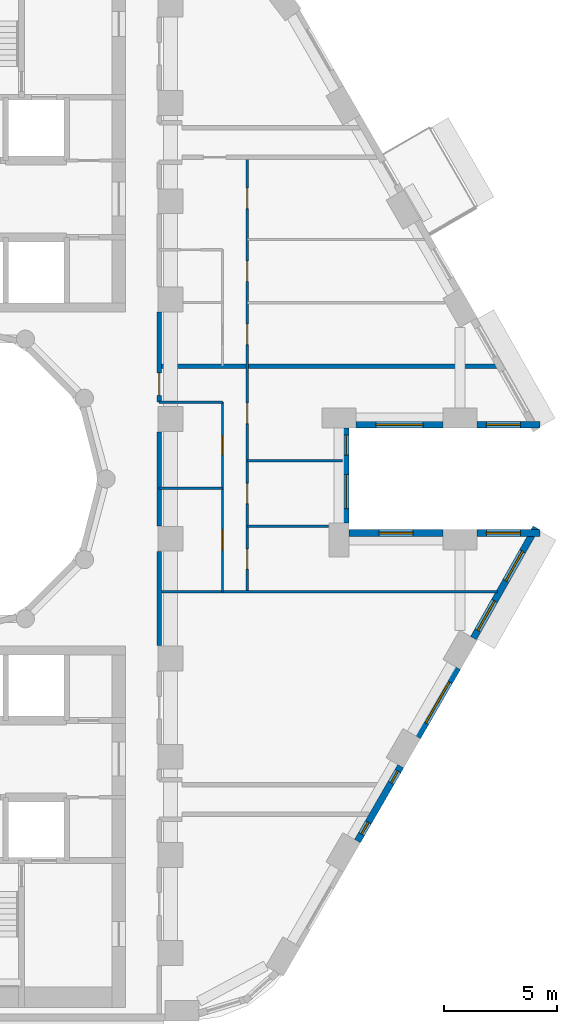
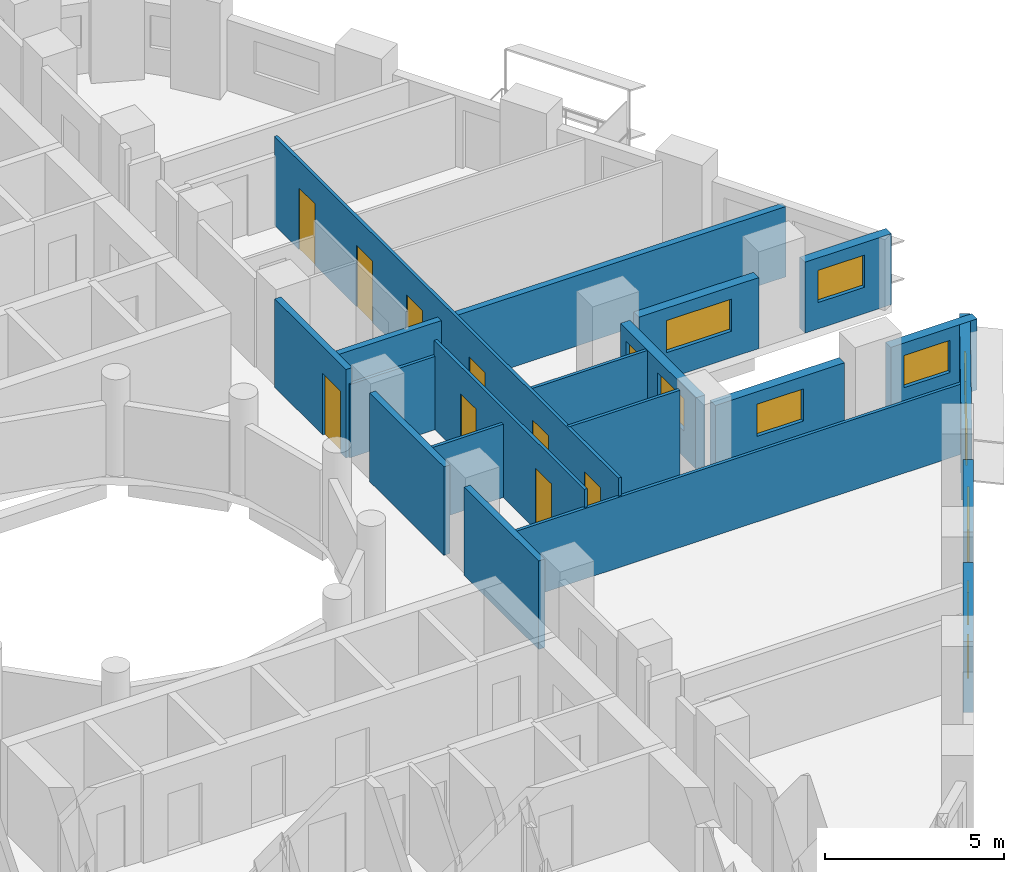
# One storey, part 6 of 13: 19 walls, 11 windows, 9 doors, 20 openings.
"""IFC4 building model written with IfcOpenShell, lengths in metres."""

from ifc_helpers import new_model, si_unit, direction, frame, frame_2d, origin, place, context, subcontext, project, spatial, rectangle, extrude, material, layer, layer_set, type_object, element, fill, save


model = new_model("IFC4")

# Units and contexts
model_context = context("Model", 3, precision=1e-05, world=origin(), true_north=direction((0.0, 1.0)))
body_context = subcontext(model_context, "Body", "Model", "MODEL_VIEW")
ifc_project = project(units=[si_unit("LENGTHUNIT", "METRE"), si_unit("AREAUNIT", "SQUARE_METRE"), si_unit("VOLUMEUNIT", "CUBIC_METRE"), si_unit("PLANEANGLEUNIT", "RADIAN"), si_unit("MASSUNIT", "GRAM", prefix="KILO")], contexts=[model_context])

# Site, building, storey
site_placement = place(None, origin())
site = spatial("IfcSite", under=ifc_project, at=site_placement, CompositionType="ELEMENT")
building_placement = place(site_placement, origin())
building = spatial("IfcBuilding", under=site, at=building_placement, Name="Nakaniwa Court", CompositionType="ELEMENT")
storey_placement = place(building_placement, frame((0.0, 0.0, 64.5)))
storey = spatial("IfcBuildingStorey", under=building, at=storey_placement, Name="L17", CompositionType="ELEMENT", Elevation=64.5)

# Walls
ifc_material_1 = material(Name="Acoustic double stud partition")
ifc_layer_1 = layer(ifc_material_1, 0.199951171875)
ifc_layer_set_1 = layer_set([ifc_layer_1], Name="Acoustic double stud partition")
wall_type_1 = type_object("IfcWallType", Name="Acoustic double stud partition 200", PredefinedType="PARTITIONING", material=ifc_layer_set_1)
for number, where, z_axis, x_axis, name in (
    (1, (89.5, 72.616943359375, 0.0), (0.0, 0.0, 1.0), (0.0, 1.0, 0.0), "Partition PW-076"),
    (2, (89.5, 77.9169921875, 0.0), (0.0, 0.0, 1.0), (0.0, 1.0, 0.0), "Partition PW-077"),
):
    element("IfcWall", number, at=place(storey_placement, frame(where, z_axis=z_axis, x_axis=x_axis)), inside=storey, type_object=wall_type_1, Name=name, PredefinedType="PARTITIONING", context=body_context, shape_type="SweptSolid", body=[
        extrude(rectangle(XDim=4.166015625, YDim=0.199951171875, at=frame_2d((2.0830078125, 0.0))), origin(), (0.0, 0.0, 1.0), 3.02490234375),
    ])

# Wall, opening, door
wall_1_placement = place(storey_placement, frame((89.5, 87.383056640625, 0.0), z_axis=(0.0, 0.0, 1.0), x_axis=(0.0, -1.0, 0.0)))
wall_1 = element("IfcWall", 3, at=wall_1_placement, inside=storey, type_object=wall_type_1, Name="Partition PW-078", PredefinedType="PARTITIONING", context=body_context, shape_type="SweptSolid", body=[
    extrude(rectangle(XDim=3.986083984375, YDim=0.199951171875, at=frame_2d((1.9931640625, 0.0))), origin(), (0.0, 0.0, 1.0), 3.02490234375),
])
opening_1_placement = place(wall_1_placement, frame((2.68310546875, 0.0, 0.0)))
opening_1 = element("IfcOpeningElement", 4, at=opening_1_placement, cuts=wall_1, Name="Opening D-01-01", PredefinedType="OPENING", context=body_context, shape_type="SweptSolid", body=[
    extrude(rectangle(XDim=1.0, YDim=2.10009765625, at=frame_2d((0.5, 1.050048828125))), frame((0.0, 0.10986328125, 0.0), z_axis=(0.0, -1.0, 0.0), x_axis=(1.0, 0.0, 0.0)), (0.0, 0.0, 1.0), 0.219970703125),
])
ifc_material_2 = material(Name="Solid core timber door set, black veneer", Category="wood")
door_type_1 = type_object("IfcDoorType", Name="Flat entrance door 1000", OperationType="NOTDEFINED", PredefinedType="DOOR", material=ifc_material_2)
door_1_placement = place(opening_1_placement, origin())
door_1 = element("IfcDoor", 5, at=door_1_placement, inside=storey, type_object=door_type_1, Name="Door D-01-01 L17-031", OperationType="SINGLE_SWING_RIGHT", OverallHeight=2.10009765625, OverallWidth=1.0, PredefinedType="DOOR", context=body_context, shape_type="SweptSolid", body=[
    extrude(rectangle(XDim=1.0, YDim=2.10009765625, at=frame_2d((0.5, 1.050048828125))), frame((0.0, 0.02490234375, 0.0), z_axis=(0.0, -1.0, 0.0), x_axis=(1.0, 0.0, 0.0)), (0.0, 0.0, 1.0), 0.050048828125),
])
fill(opening_1, door_1)

# Wall
wall_2_placement = place(storey_placement, frame((89.5, 85.0, 0.0), z_axis=(0.0, 0.0, 1.0), x_axis=(1.0, 0.0, 0.0)))
element("IfcWall", 6, at=wall_2_placement, inside=storey, type_object=wall_type_1, Name="Partition PW-119", PredefinedType="PARTITIONING", context=body_context, shape_type="SweptSolid", body=[
    extrude(rectangle(XDim=14.9794921875, YDim=0.199951171875, at=frame_2d((7.48974609375, 0.0))), origin(), (0.0, 0.0, 1.0), 2.405029296875),
])

# Wall, opening, window
ifc_material_3 = material(Name="Charcoal ceramic cladding")
ifc_layer_2 = layer(ifc_material_3, 0.02, Name="Ceramic cladding")
ifc_material_4 = material(Name="Ventilated air cavity")
ifc_layer_3 = layer(ifc_material_4, 0.04, ventilated=True, Name="Ventilated cavity")
ifc_material_5 = material(Name="Mineral wool insulation")
ifc_layer_4 = layer(ifc_material_5, 0.1, Name="Insulation")
ifc_material_6 = material(Name="Cement bonded sheathing board")
ifc_layer_5 = layer(ifc_material_6, 0.012, Name="Sheathing")
ifc_material_7 = material(Name="Cold-formed galvanised stud frame with mineral wool infill")
ifc_layer_6 = layer(ifc_material_7, 0.1, Name="Stud frame")
ifc_material_8 = material(Name="Fire-rated gypsum plasterboard lining")
ifc_layer_7 = layer(ifc_material_8, 0.028, Name="Lining")
ifc_layer_set_2 = layer_set([ifc_layer_2, ifc_layer_3, ifc_layer_4, ifc_layer_5, ifc_layer_6, ifc_layer_7], Name="Charcoal ceramic faced external wall system")
wall_type_2 = type_object("IfcWallType", Name="Black ceramic faced external wall 300", PredefinedType="SOLIDWALL", material=ifc_layer_set_2)
wall_3_placement = place(storey_placement, frame((98.204345703125, 82.39990234375, 0.0), z_axis=(0.0, 0.0, 1.0), x_axis=(1.0, 0.0, 0.0)))
wall_3 = element("IfcWall", 7, at=wall_3_placement, inside=storey, type_object=wall_type_2, Name="L17 external wall 00", PredefinedType="SOLIDWALL", context=body_context, shape_type="SweptSolid", body=[
    extrude(rectangle(XDim=3.87255859375, YDim=0.300048828125, at=frame_2d((1.936279296875, 0.0))), origin(), (0.0, 0.0, 1.0), 2.425048828125),
])
opening_2_placement = place(wall_3_placement, frame((0.88623046875, 0.0, 0.89990234375)))
opening_2 = element("IfcOpeningElement", 8, at=opening_2_placement, cuts=wall_3, Name="Opening W7.01", PredefinedType="OPENING", context=body_context, shape_type="SweptSolid", body=[
    extrude(rectangle(XDim=2.10009765625, YDim=1.10009765625, at=frame_2d((1.050048828125, 0.550048828125))), frame((0.0, 0.159912109375, 0.0), z_axis=(0.0, -1.0, 0.0), x_axis=(1.0, 0.0, 0.0)), (0.0, 0.0, 1.0), 0.320068359375),
])
ifc_material_9 = material(Name="Black anodised aluminium frame with dark low-E laminated double glazing", Category="aluminium")
window_type_1 = type_object("IfcWindowType", Name="Dark glass window 2100x1100 sill 900", PartitioningType="SINGLE_PANEL", PredefinedType="WINDOW", material=ifc_material_9)
window_1_placement = place(opening_2_placement, origin())
window_1 = element("IfcWindow", 9, at=window_1_placement, inside=storey, type_object=window_type_1, Name="L17 living window 00-0", OverallHeight=1.10009765625, OverallWidth=2.10009765625, PartitioningType="SINGLE_PANEL", PredefinedType="WINDOW", context=body_context, shape_type="SweptSolid", body=[
    extrude(rectangle(XDim=2.10009765625, YDim=1.10009765625, at=frame_2d((1.050048828125, 0.550048828125))), frame((0.0, 0.030029296875, 0.0), z_axis=(0.0, -1.0, 0.0), x_axis=(1.0, 0.0, 0.0)), (0.0, 0.0, 1.0), 0.06005859375),
])
fill(opening_2, window_1)

wall_4_placement = place(storey_placement, frame((103.56884765625, 82.39990234375, 0.0), z_axis=(0.0, 0.0, 1.0), x_axis=(1.0, 0.0, 0.0)))
wall_4 = element("IfcWall", 10, at=wall_4_placement, inside=storey, type_object=wall_type_2, Name="L17 external wall 01", PredefinedType="SOLIDWALL", context=body_context, shape_type="SweptSolid", body=[
    extrude(rectangle(XDim=2.787841796875, YDim=0.300048828125, at=frame_2d((1.39404296875, 0.0))), origin(), (0.0, 0.0, 1.0), 2.425048828125),
])
opening_3_placement = place(wall_4_placement, frame((0.4189453125, 0.0, 0.89990234375)))
opening_3 = element("IfcOpeningElement", 11, at=opening_3_placement, cuts=wall_4, Name="Opening W5.02", PredefinedType="OPENING", context=body_context, shape_type="SweptSolid", body=[
    extrude(rectangle(XDim=1.5, YDim=1.10009765625, at=frame_2d((0.75, 0.550048828125))), frame((0.0, 0.159912109375, 0.0), z_axis=(0.0, -1.0, 0.0), x_axis=(1.0, 0.0, 0.0)), (0.0, 0.0, 1.0), 0.320068359375),
])
window_type_2 = type_object("IfcWindowType", Name="Dark glass window 1500x1100 sill 900", PartitioningType="SINGLE_PANEL", PredefinedType="WINDOW", material=ifc_material_9)
window_2_placement = place(opening_3_placement, origin())
window_2 = element("IfcWindow", 12, at=window_2_placement, inside=storey, type_object=window_type_2, Name="L17 living window 01-0", OverallHeight=1.10009765625, OverallWidth=1.5, PartitioningType="SINGLE_PANEL", PredefinedType="WINDOW", context=body_context, shape_type="SweptSolid", body=[
    extrude(rectangle(XDim=1.5, YDim=1.10009765625, at=frame_2d((0.75, 0.550048828125))), frame((0.0, 0.030029296875, 0.0), z_axis=(0.0, -1.0, 0.0), x_axis=(1.0, 0.0, 0.0)), (0.0, 0.0, 1.0), 0.06005859375),
])
fill(opening_3, window_2)

# Wall, openings, windows
wall_5_placement = place(storey_placement, frame((98.2783203125, 63.958984375, 0.0), z_axis=(0.0, 0.0, 1.0), x_axis=(0.500001735503, 0.866024401789, 0.0)))
wall_5 = element("IfcWall", 13, at=wall_5_placement, inside=storey, type_object=wall_type_2, Name="L17 external wall 30", PredefinedType="SOLIDWALL", context=body_context, shape_type="SweptSolid", body=[
    extrude(rectangle(XDim=3.833984375, YDim=0.300048828125, at=frame_2d((1.9169921875, 0.0))), origin(), (0.0, 0.0, 1.0), 2.425048828125),
])
opening_4_placement = place(wall_5_placement, frame((0.363525390625, 0.0, 0.89990234375)))
opening_4 = element("IfcOpeningElement", 14, at=opening_4_placement, cuts=wall_5, Name="Opening W8.32", PredefinedType="OPENING", context=body_context, shape_type="SweptSolid", body=[
    extrude(rectangle(XDim=0.60009765625, YDim=1.10009765625, at=frame_2d((0.300048828125, 0.550048828125))), frame((0.0, 0.159912109375, 0.0), z_axis=(0.0, -1.0, 0.0), x_axis=(1.0, 0.0, 0.0)), (0.0, 0.0, 1.0), 0.320068359375),
])
opening_5_placement = place(wall_5_placement, frame((2.981201171875, 0.0, 0.89990234375)))
opening_5 = element("IfcOpeningElement", 15, at=opening_5_placement, cuts=wall_5, Name="Opening W8.33", PredefinedType="OPENING", context=body_context, shape_type="SweptSolid", body=[
    extrude(rectangle(XDim=0.60009765625, YDim=1.10009765625, at=frame_2d((0.300048828125, 0.550048828125))), frame((0.0, 0.159912109375, 0.0), z_axis=(0.0, -1.0, 0.0), x_axis=(1.0, 0.0, 0.0)), (0.0, 0.0, 1.0), 0.320068359375),
])
window_type_3 = type_object("IfcWindowType", Name="Dark glass window 600x1100 sill 900", PartitioningType="SINGLE_PANEL", PredefinedType="WINDOW", material=ifc_material_9)
window_3_placement = place(opening_4_placement, origin())
window_3 = element("IfcWindow", 16, at=window_3_placement, inside=storey, type_object=window_type_3, Name="L17 habitable room window 30-0", OverallHeight=1.10009765625, OverallWidth=0.60009765625, PartitioningType="SINGLE_PANEL", PredefinedType="WINDOW", context=body_context, shape_type="SweptSolid", body=[
    extrude(rectangle(XDim=0.60009765625, YDim=1.10009765625, at=frame_2d((0.300048828125, 0.550048828125))), frame((0.0, 0.030029296875, 0.0), z_axis=(0.0, -1.0, 0.0), x_axis=(1.0, 0.0, 0.0)), (0.0, 0.0, 1.0), 0.06005859375),
])
fill(opening_4, window_3)
window_4_placement = place(opening_5_placement, origin())
window_4 = element("IfcWindow", 17, at=window_4_placement, inside=storey, type_object=window_type_3, Name="L17 habitable room window 30-2", OverallHeight=1.10009765625, OverallWidth=0.60009765625, PartitioningType="SINGLE_PANEL", PredefinedType="WINDOW", context=body_context, shape_type="SweptSolid", body=[
    extrude(rectangle(XDim=0.60009765625, YDim=1.10009765625, at=frame_2d((0.300048828125, 0.550048828125))), frame((0.0, 0.030029296875, 0.0), z_axis=(0.0, -1.0, 0.0), x_axis=(1.0, 0.0, 0.0)), (0.0, 0.0, 1.0), 0.06005859375),
])
fill(opening_5, window_4)

# Wall, opening, window
wall_6_placement = place(storey_placement, frame((100.94140625, 68.5712890625, 0.0), z_axis=(0.0, 0.0, 1.0), x_axis=(0.499977402622, 0.866038449993, 0.0)))
wall_6 = element("IfcWall", 18, at=wall_6_placement, inside=storey, type_object=wall_type_2, Name="L17 external wall 31", PredefinedType="SOLIDWALL", context=body_context, shape_type="SweptSolid", body=[
    extrude(rectangle(XDim=3.536865234375, YDim=0.300048828125, at=frame_2d((1.7685546875, 0.0))), origin(), (0.0, 0.0, 1.0), 2.425048828125),
])
opening_6_placement = place(wall_6_placement, frame((0.718505859375, 0.0, 0.89990234375)))
opening_6 = element("IfcOpeningElement", 19, at=opening_6_placement, cuts=wall_6, Name="Opening W7.34", PredefinedType="OPENING", context=body_context, shape_type="SweptSolid", body=[
    extrude(rectangle(XDim=2.10009765625, YDim=1.10009765625, at=frame_2d((1.050048828125, 0.550048828125))), frame((0.0, 0.159912109375, 0.0), z_axis=(0.0, -1.0, 0.0), x_axis=(1.0, 0.0, 0.0)), (0.0, 0.0, 1.0), 0.320068359375),
])
window_5_placement = place(opening_6_placement, origin())
window_5 = element("IfcWindow", 20, at=window_5_placement, inside=storey, type_object=window_type_1, Name="L17 habitable room window 31-0", OverallHeight=1.10009765625, OverallWidth=2.10009765625, PartitioningType="SINGLE_PANEL", PredefinedType="WINDOW", context=body_context, shape_type="SweptSolid", body=[
    extrude(rectangle(XDim=2.10009765625, YDim=1.10009765625, at=frame_2d((1.050048828125, 0.550048828125))), frame((0.0, 0.030029296875, 0.0), z_axis=(0.0, -1.0, 0.0), x_axis=(1.0, 0.0, 0.0)), (0.0, 0.0, 1.0), 0.06005859375),
])
fill(opening_6, window_5)

# Wall, openings, windows
wall_7_placement = place(storey_placement, frame((103.415771484375, 72.949462890625, 0.0), z_axis=(0.0, 0.0, 1.0), x_axis=(0.492363204642, 0.870389840655, 0.0)))
wall_7 = element("IfcWall", 21, at=wall_7_placement, inside=storey, type_object=wall_type_2, Name="L17 external wall 32", PredefinedType="SOLIDWALL", context=body_context, shape_type="SweptSolid", body=[
    extrude(rectangle(XDim=5.62646484375, YDim=0.300048828125, at=frame_2d((2.813232421875, 0.0))), origin(), (0.0, 0.0, 1.0), 2.425048828125),
])
opening_7_placement = place(wall_7_placement, frame((0.392578125, 0.0, 0.89990234375)))
opening_7 = element("IfcOpeningElement", 22, at=opening_7_placement, cuts=wall_7, Name="Opening W5.35", PredefinedType="OPENING", context=body_context, shape_type="SweptSolid", body=[
    extrude(rectangle(XDim=1.5, YDim=1.10009765625, at=frame_2d((0.75, 0.550048828125))), frame((0.0, 0.159912109375, 0.0), z_axis=(0.0, -1.0, 0.0), x_axis=(1.0, 0.0, 0.0)), (0.0, 0.0, 1.0), 0.320068359375),
])
opening_8_placement = place(wall_7_placement, frame((2.917236328125, 0.0, 0.89990234375)))
opening_8 = element("IfcOpeningElement", 23, at=opening_8_placement, cuts=wall_7, Name="Opening W5.36", PredefinedType="OPENING", context=body_context, shape_type="SweptSolid", body=[
    extrude(rectangle(XDim=1.5, YDim=1.10009765625, at=frame_2d((0.75, 0.550048828125))), frame((0.0, 0.159912109375, 0.0), z_axis=(0.0, -1.0, 0.0), x_axis=(1.0, 0.0, 0.0)), (0.0, 0.0, 1.0), 0.320068359375),
])
window_6_placement = place(opening_7_placement, origin())
window_6 = element("IfcWindow", 24, at=window_6_placement, inside=storey, type_object=window_type_2, Name="L17 habitable room window 32-0", OverallHeight=1.10009765625, OverallWidth=1.5, PartitioningType="SINGLE_PANEL", PredefinedType="WINDOW", context=body_context, shape_type="SweptSolid", body=[
    extrude(rectangle(XDim=1.5, YDim=1.10009765625, at=frame_2d((0.75, 0.550048828125))), frame((0.0, 0.030029296875, 0.0), z_axis=(0.0, -1.0, 0.0), x_axis=(1.0, 0.0, 0.0)), (0.0, 0.0, 1.0), 0.06005859375),
])
fill(opening_7, window_6)
window_7_placement = place(opening_8_placement, origin())
window_7 = element("IfcWindow", 25, at=window_7_placement, inside=storey, type_object=window_type_2, Name="L17 bedroom window 32-1", OverallHeight=1.10009765625, OverallWidth=1.5, PartitioningType="SINGLE_PANEL", PredefinedType="WINDOW", context=body_context, shape_type="SweptSolid", body=[
    extrude(rectangle(XDim=1.5, YDim=1.10009765625, at=frame_2d((0.75, 0.550048828125))), frame((0.0, 0.030029296875, 0.0), z_axis=(0.0, -1.0, 0.0), x_axis=(1.0, 0.0, 0.0)), (0.0, 0.0, 1.0), 0.06005859375),
])
fill(opening_8, window_7)

# Wall, opening, window
wall_8_placement = place(storey_placement, frame((106.356689453125, 77.60009765625, 0.0), z_axis=(0.0, 0.0, 1.0), x_axis=(-1.0, 0.0, 0.0)))
wall_8 = element("IfcWall", 26, at=wall_8_placement, inside=storey, type_object=wall_type_2, Name="L17 external wall 33", PredefinedType="SOLIDWALL", context=body_context, shape_type="SweptSolid", body=[
    extrude(rectangle(XDim=2.787841796875, YDim=0.300048828125, at=frame_2d((1.39404296875, 0.0))), origin(), (0.0, 0.0, 1.0), 2.425048828125),
])
opening_9_placement = place(wall_8_placement, frame((0.868896484375, 0.0, 0.89990234375)))
opening_9 = element("IfcOpeningElement", 27, at=opening_9_placement, cuts=wall_8, Name="Opening W5.37", PredefinedType="OPENING", context=body_context, shape_type="SweptSolid", body=[
    extrude(rectangle(XDim=1.5, YDim=1.10009765625, at=frame_2d((0.75, 0.550048828125))), frame((0.0, 0.159912109375, 0.0), z_axis=(0.0, -1.0, 0.0), x_axis=(1.0, 0.0, 0.0)), (0.0, 0.0, 1.0), 0.320068359375),
])
window_8_placement = place(opening_9_placement, origin())
window_8 = element("IfcWindow", 28, at=window_8_placement, inside=storey, type_object=window_type_2, Name="L17 bedroom window 33-0", OverallHeight=1.10009765625, OverallWidth=1.5, PartitioningType="SINGLE_PANEL", PredefinedType="WINDOW", context=body_context, shape_type="SweptSolid", body=[
    extrude(rectangle(XDim=1.5, YDim=1.10009765625, at=frame_2d((0.75, 0.550048828125))), frame((0.0, 0.030029296875, 0.0), z_axis=(0.0, -1.0, 0.0), x_axis=(1.0, 0.0, 0.0)), (0.0, 0.0, 1.0), 0.06005859375),
])
fill(opening_9, window_8)

wall_9_placement = place(storey_placement, frame((102.076904296875, 77.60009765625, 0.0), z_axis=(0.0, 0.0, 1.0), x_axis=(-1.0, 0.0, 0.0)))
wall_9 = element("IfcWall", 29, at=wall_9_placement, inside=storey, type_object=wall_type_2, Name="L17 external wall 34", PredefinedType="SOLIDWALL", context=body_context, shape_type="SweptSolid", body=[
    extrude(rectangle(XDim=4.172607421875, YDim=0.300048828125, at=frame_2d((2.08642578125, 0.0))), origin(), (0.0, 0.0, 1.0), 2.425048828125),
])
opening_10_placement = place(wall_9_placement, frame((1.336181640625, 0.0, 0.89990234375)))
opening_10 = element("IfcOpeningElement", 30, at=opening_10_placement, cuts=wall_9, Name="Opening W5.38", PredefinedType="OPENING", context=body_context, shape_type="SweptSolid", body=[
    extrude(rectangle(XDim=1.5, YDim=1.10009765625, at=frame_2d((0.75, 0.550048828125))), frame((0.0, 0.159912109375, 0.0), z_axis=(0.0, -1.0, 0.0), x_axis=(1.0, 0.0, 0.0)), (0.0, 0.0, 1.0), 0.320068359375),
])
window_9_placement = place(opening_10_placement, origin())
window_9 = element("IfcWindow", 31, at=window_9_placement, inside=storey, type_object=window_type_2, Name="L17 bedroom window 34-0", OverallHeight=1.10009765625, OverallWidth=1.5, PartitioningType="SINGLE_PANEL", PredefinedType="WINDOW", context=body_context, shape_type="SweptSolid", body=[
    extrude(rectangle(XDim=1.5, YDim=1.10009765625, at=frame_2d((0.75, 0.550048828125))), frame((0.0, 0.030029296875, 0.0), z_axis=(0.0, -1.0, 0.0), x_axis=(1.0, 0.0, 0.0)), (0.0, 0.0, 1.0), 0.06005859375),
])
fill(opening_10, window_9)

# Wall, openings, windows
wall_10_placement = place(storey_placement, frame((97.75830078125, 78.0458984375, 0.0), z_axis=(0.0, 0.0, 1.0), x_axis=(0.0, 1.0, 0.0)))
wall_10 = element("IfcWall", 32, at=wall_10_placement, inside=storey, type_object=wall_type_2, Name="L17 external wall 35", PredefinedType="SOLIDWALL", context=body_context, shape_type="SweptSolid", body=[
    extrude(rectangle(XDim=4.2080078125, YDim=0.300048828125, at=frame_2d((2.10400390625, 0.0))), origin(), (0.0, 0.0, 1.0), 2.425048828125),
])
opening_11_placement = place(wall_10_placement, frame((0.64208984375, 0.0, 0.89990234375)))
opening_11 = element("IfcOpeningElement", 33, at=opening_11_placement, cuts=wall_10, Name="Opening W5.39", PredefinedType="OPENING", context=body_context, shape_type="SweptSolid", body=[
    extrude(rectangle(XDim=1.5, YDim=1.10009765625, at=frame_2d((0.75, 0.550048828125))), frame((0.0, 0.159912109375, 0.0), z_axis=(0.0, -1.0, 0.0), x_axis=(1.0, 0.0, 0.0)), (0.0, 0.0, 1.0), 0.320068359375),
])
opening_12_placement = place(wall_10_placement, frame((3.00927734375, 0.0, 0.89990234375)))
opening_12 = element("IfcOpeningElement", 34, at=opening_12_placement, cuts=wall_10, Name="Opening W9.40", PredefinedType="OPENING", context=body_context, shape_type="SweptSolid", body=[
    extrude(rectangle(XDim=0.89990234375, YDim=1.10009765625, at=frame_2d((0.449951171875, 0.550048828125))), frame((0.0, 0.159912109375, 0.0), z_axis=(0.0, -1.0, 0.0), x_axis=(1.0, 0.0, 0.0)), (0.0, 0.0, 1.0), 0.320068359375),
])
window_10_placement = place(opening_11_placement, origin())
window_10 = element("IfcWindow", 35, at=window_10_placement, inside=storey, type_object=window_type_2, Name="L17 bedroom window 35-0", OverallHeight=1.10009765625, OverallWidth=1.5, PartitioningType="SINGLE_PANEL", PredefinedType="WINDOW", context=body_context, shape_type="SweptSolid", body=[
    extrude(rectangle(XDim=1.5, YDim=1.10009765625, at=frame_2d((0.75, 0.550048828125))), frame((0.0, 0.030029296875, 0.0), z_axis=(0.0, -1.0, 0.0), x_axis=(1.0, 0.0, 0.0)), (0.0, 0.0, 1.0), 0.06005859375),
])
fill(opening_11, window_10)
window_type_4 = type_object("IfcWindowType", Name="Dark glass window 900x1100 sill 900", PartitioningType="SINGLE_PANEL", PredefinedType="WINDOW", material=ifc_material_9)
window_11_placement = place(opening_12_placement, origin())
window_11 = element("IfcWindow", 36, at=window_11_placement, inside=storey, type_object=window_type_4, Name="L17 living window 35-1", OverallHeight=1.10009765625, OverallWidth=0.89990234375, PartitioningType="SINGLE_PANEL", PredefinedType="WINDOW", context=body_context, shape_type="SweptSolid", body=[
    extrude(rectangle(XDim=0.89990234375, YDim=1.10009765625, at=frame_2d((0.449951171875, 0.550048828125))), frame((0.0, 0.030029296875, 0.0), z_axis=(0.0, -1.0, 0.0), x_axis=(1.0, 0.0, 0.0)), (0.0, 0.0, 1.0), 0.06005859375),
])
fill(opening_12, window_11)

# Walls
ifc_material_10 = material(Name="Single stud plasterboard partition")
ifc_layer_8 = layer(ifc_material_10, 0.10009765625)
ifc_layer_set_3 = layer_set([ifc_layer_8], Name="Single stud plasterboard partition")
wall_type_3 = type_object("IfcWallType", Name="Single stud plasterboard partition 100", PredefinedType="PARTITIONING", material=ifc_layer_set_3)
wall_11_placement = place(storey_placement, frame((89.5, 75.0, 0.0), z_axis=(0.0, 0.0, 1.0), x_axis=(1.0, 0.0, 0.0)))
element("IfcWall", 37, at=wall_11_placement, inside=storey, type_object=wall_type_3, Name="Partition PW-113", PredefinedType="PARTITIONING", context=body_context, shape_type="SweptSolid", body=[
    extrude(rectangle(XDim=14.9794921875, YDim=0.10009765625, at=frame_2d((7.48974609375, 0.0))), origin(), (0.0, 0.0, 1.0), 2.405029296875),
])
wall_12_placement = place(storey_placement, frame((89.5, 79.58203125, 0.0), z_axis=(0.0, 0.0, 1.0), x_axis=(1.0, 0.0, 0.0)))
element("IfcWall", 38, at=wall_12_placement, inside=storey, type_object=wall_type_3, Name="Partition PW-114", PredefinedType="PARTITIONING", context=body_context, shape_type="SweptSolid", body=[
    extrude(rectangle(XDim=2.800048828125, YDim=0.10009765625, at=frame_2d((1.39990234375, 0.0))), origin(), (0.0, 0.0, 1.0), 2.5048828125),
])

# Wall, openings, doors
wall_13_placement = place(storey_placement, frame((92.300048828125, 75.0, 0.0), z_axis=(0.0, 0.0, 1.0), x_axis=(0.0, 1.0, 0.0)))
wall_13 = element("IfcWall", 39, at=wall_13_placement, inside=storey, type_object=wall_type_3, Name="Partition PW-115", PredefinedType="PARTITIONING", context=body_context, shape_type="SweptSolid", body=[
    extrude(rectangle(XDim=8.39990234375, YDim=0.10009765625, at=frame_2d((4.199951171875, 0.0))), origin(), (0.0, 0.0, 1.0), 3.02490234375),
])
opening_13_placement = place(wall_13_placement, frame((1.841064453125, 0.0, 0.0)))
opening_13 = element("IfcOpeningElement", 40, at=opening_13_placement, cuts=wall_13, Name="Opening D-33-01", PredefinedType="OPENING", context=body_context, shape_type="SweptSolid", body=[
    extrude(rectangle(XDim=0.89990234375, YDim=2.10009765625, at=frame_2d((0.449951171875, 1.050048828125))), frame((0.0, 0.06005859375, 0.0), z_axis=(0.0, -1.0, 0.0), x_axis=(1.0, 0.0, 0.0)), (0.0, 0.0, 1.0), 0.1201171875),
])
opening_14_placement = place(wall_13_placement, frame((6.06591796875, 0.0, 0.0)))
opening_14 = element("IfcOpeningElement", 41, at=opening_14_placement, cuts=wall_13, Name="Opening D-03-01", PredefinedType="OPENING", context=body_context, shape_type="SweptSolid", body=[
    extrude(rectangle(XDim=0.85009765625, YDim=2.10009765625, at=frame_2d((0.425048828125, 1.050048828125))), frame((0.0, 0.06005859375, 0.0), z_axis=(0.0, -1.0, 0.0), x_axis=(1.0, 0.0, 0.0)), (0.0, 0.0, 1.0), 0.1201171875),
])
ifc_material_11 = material(Name="Moisture sealed timber door set", Category="wood")
door_type_2 = type_object("IfcDoorType", Name="Bathroom door 850", OperationType="NOTDEFINED", PredefinedType="DOOR", material=ifc_material_11)
door_2_placement = place(opening_14_placement, origin())
door_2 = element("IfcDoor", 42, at=door_2_placement, inside=storey, type_object=door_type_2, Name="Door D-03-01 L17-033", OperationType="SINGLE_SWING_RIGHT", OverallHeight=2.10009765625, OverallWidth=0.85009765625, PredefinedType="DOOR", context=body_context, shape_type="SweptSolid", body=[
    extrude(rectangle(XDim=0.85009765625, YDim=2.10009765625, at=frame_2d((0.425048828125, 1.050048828125))), frame((0.0, 0.02490234375, 0.0), z_axis=(0.0, -1.0, 0.0), x_axis=(1.0, 0.0, 0.0)), (0.0, 0.0, 1.0), 0.050048828125),
])
fill(opening_14, door_2)
door_type_3 = type_object("IfcDoorType", Name="Internal door 900", OperationType="NOTDEFINED", PredefinedType="DOOR", material=ifc_material_2)
door_3_placement = place(opening_13_placement, origin())
door_3 = element("IfcDoor", 43, at=door_3_placement, inside=storey, type_object=door_type_3, Name="Door D-33-01 L17-032", OperationType="SINGLE_SWING_LEFT", OverallHeight=2.10009765625, OverallWidth=0.89990234375, PredefinedType="DOOR", context=body_context, shape_type="SweptSolid", body=[
    extrude(rectangle(XDim=0.89990234375, YDim=2.10009765625, at=frame_2d((0.449951171875, 1.050048828125))), frame((0.0, 0.02490234375, 0.0), z_axis=(0.0, -1.0, 0.0), x_axis=(1.0, 0.0, 0.0)), (0.0, 0.0, 1.0), 0.050048828125),
])
fill(opening_13, door_3)

# Wall
wall_14_placement = place(storey_placement, frame((89.5, 83.39990234375, 0.0), z_axis=(0.0, 0.0, 1.0), x_axis=(1.0, 0.0, 0.0)))
element("IfcWall", 44, at=wall_14_placement, inside=storey, type_object=wall_type_3, Name="Partition PW-117", PredefinedType="PARTITIONING", context=body_context, shape_type="SweptSolid", body=[
    extrude(rectangle(XDim=2.800048828125, YDim=0.10009765625, at=frame_2d((1.39990234375, 0.0))), origin(), (0.0, 0.0, 1.0), 2.5048828125),
])

# Wall, openings, doors
wall_15_placement = place(storey_placement, frame((93.39990234375, 94.25, 0.0), z_axis=(0.0, 0.0, 1.0), x_axis=(0.0, -1.0, 0.0)))
wall_15 = element("IfcWall", 45, at=wall_15_placement, inside=storey, type_object=wall_type_3, Name="Partition PW-118", PredefinedType="PARTITIONING", context=body_context, shape_type="SweptSolid", body=[
    extrude(rectangle(XDim=19.25, YDim=0.10009765625, at=frame_2d((9.625, 0.0))), origin(), (0.0, 0.0, 1.0), 3.02490234375),
])
opening_15_placement = place(wall_15_placement, frame((17.347900390625, 0.0, 0.0)))
opening_15 = element("IfcOpeningElement", 46, at=opening_15_placement, cuts=wall_15, Name="Opening D-33-02", PredefinedType="OPENING", context=body_context, shape_type="SweptSolid", body=[
    extrude(rectangle(XDim=0.89990234375, YDim=2.10009765625, at=frame_2d((0.449951171875, 1.050048828125))), frame((0.0, 0.06005859375, 0.0), z_axis=(0.0, -1.0, 0.0), x_axis=(1.0, 0.0, 0.0)), (0.0, 0.0, 1.0), 0.1201171875),
])
opening_16_placement = place(wall_15_placement, frame((14.445068359375, 0.0, 0.0)))
opening_16 = element("IfcOpeningElement", 47, at=opening_16_placement, cuts=wall_15, Name="Opening D-33-03", PredefinedType="OPENING", context=body_context, shape_type="SweptSolid", body=[
    extrude(rectangle(XDim=0.89990234375, YDim=2.10009765625, at=frame_2d((0.449951171875, 1.050048828125))), frame((0.0, 0.06005859375, 0.0), z_axis=(0.0, -1.0, 0.0), x_axis=(1.0, 0.0, 0.0)), (0.0, 0.0, 1.0), 0.1201171875),
])
opening_17_placement = place(wall_15_placement, frame((10.89697265625, 0.0, 0.0)))
opening_17 = element("IfcOpeningElement", 48, at=opening_17_placement, cuts=wall_15, Name="Opening D-33-04", PredefinedType="OPENING", context=body_context, shape_type="SweptSolid", body=[
    extrude(rectangle(XDim=0.89990234375, YDim=2.10009765625, at=frame_2d((0.449951171875, 1.050048828125))), frame((0.0, 0.06005859375, 0.0), z_axis=(0.0, -1.0, 0.0), x_axis=(1.0, 0.0, 0.0)), (0.0, 0.0, 1.0), 0.1201171875),
])
opening_18_placement = place(wall_15_placement, frame((7.39990234375, 0.0, 0.0)))
opening_18 = element("IfcOpeningElement", 49, at=opening_18_placement, cuts=wall_15, Name="Opening D-33-06", PredefinedType="OPENING", context=body_context, shape_type="SweptSolid", body=[
    extrude(rectangle(XDim=0.89990234375, YDim=2.10009765625, at=frame_2d((0.449951171875, 1.050048828125))), frame((0.0, 0.06005859375, 0.0), z_axis=(0.0, -1.0, 0.0), x_axis=(1.0, 0.0, 0.0)), (0.0, 0.0, 1.0), 0.1201171875),
])
opening_19_placement = place(wall_15_placement, frame((4.60009765625, 0.0, 0.0)))
opening_19 = element("IfcOpeningElement", 50, at=opening_19_placement, cuts=wall_15, Name="Opening D-33-07", PredefinedType="OPENING", context=body_context, shape_type="SweptSolid", body=[
    extrude(rectangle(XDim=0.89990234375, YDim=2.10009765625, at=frame_2d((0.449951171875, 1.050048828125))), frame((0.0, 0.06005859375, 0.0), z_axis=(0.0, -1.0, 0.0), x_axis=(1.0, 0.0, 0.0)), (0.0, 0.0, 1.0), 0.1201171875),
])
opening_20_placement = place(wall_15_placement, frame((1.375, 0.0, 0.0)))
opening_20 = element("IfcOpeningElement", 51, at=opening_20_placement, cuts=wall_15, Name="Opening D-33-08", PredefinedType="OPENING", context=body_context, shape_type="SweptSolid", body=[
    extrude(rectangle(XDim=0.89990234375, YDim=2.10009765625, at=frame_2d((0.449951171875, 1.050048828125))), frame((0.0, 0.06005859375, 0.0), z_axis=(0.0, -1.0, 0.0), x_axis=(1.0, 0.0, 0.0)), (0.0, 0.0, 1.0), 0.1201171875),
])
door_4_placement = place(opening_15_placement, origin())
door_4 = element("IfcDoor", 52, at=door_4_placement, inside=storey, type_object=door_type_3, Name="Door D-33-02 L17-034", OperationType="SINGLE_SWING_LEFT", OverallHeight=2.10009765625, OverallWidth=0.89990234375, PredefinedType="DOOR", context=body_context, shape_type="SweptSolid", body=[
    extrude(rectangle(XDim=0.89990234375, YDim=2.10009765625, at=frame_2d((0.449951171875, 1.050048828125))), frame((0.0, 0.02490234375, 0.0), z_axis=(0.0, -1.0, 0.0), x_axis=(1.0, 0.0, 0.0)), (0.0, 0.0, 1.0), 0.050048828125),
])
fill(opening_15, door_4)
door_5_placement = place(opening_16_placement, origin())
door_5 = element("IfcDoor", 53, at=door_5_placement, inside=storey, type_object=door_type_3, Name="Door D-33-03 L17-035", OperationType="SINGLE_SWING_RIGHT", OverallHeight=2.10009765625, OverallWidth=0.89990234375, PredefinedType="DOOR", context=body_context, shape_type="SweptSolid", body=[
    extrude(rectangle(XDim=0.89990234375, YDim=2.10009765625, at=frame_2d((0.449951171875, 1.050048828125))), frame((0.0, 0.02490234375, 0.0), z_axis=(0.0, -1.0, 0.0), x_axis=(1.0, 0.0, 0.0)), (0.0, 0.0, 1.0), 0.050048828125),
])
fill(opening_16, door_5)
door_6_placement = place(opening_17_placement, origin())
door_6 = element("IfcDoor", 54, at=door_6_placement, inside=storey, type_object=door_type_3, Name="Door D-33-04 L17-036", OperationType="SINGLE_SWING_LEFT", OverallHeight=2.10009765625, OverallWidth=0.89990234375, PredefinedType="DOOR", context=body_context, shape_type="SweptSolid", body=[
    extrude(rectangle(XDim=0.89990234375, YDim=2.10009765625, at=frame_2d((0.449951171875, 1.050048828125))), frame((0.0, 0.02490234375, 0.0), z_axis=(0.0, -1.0, 0.0), x_axis=(1.0, 0.0, 0.0)), (0.0, 0.0, 1.0), 0.050048828125),
])
fill(opening_17, door_6)
door_7_placement = place(opening_18_placement, origin())
door_7 = element("IfcDoor", 55, at=door_7_placement, inside=storey, type_object=door_type_3, Name="Door D-33-06 L17-040", OperationType="SINGLE_SWING_LEFT", OverallHeight=2.10009765625, OverallWidth=0.89990234375, PredefinedType="DOOR", context=body_context, shape_type="SweptSolid", body=[
    extrude(rectangle(XDim=0.89990234375, YDim=2.10009765625, at=frame_2d((0.449951171875, 1.050048828125))), frame((0.0, 0.02490234375, 0.0), z_axis=(0.0, -1.0, 0.0), x_axis=(1.0, 0.0, 0.0)), (0.0, 0.0, 1.0), 0.050048828125),
])
fill(opening_18, door_7)
door_8_placement = place(opening_19_placement, origin())
door_8 = element("IfcDoor", 56, at=door_8_placement, inside=storey, type_object=door_type_3, Name="Door D-33-07 L17-041", OperationType="SINGLE_SWING_RIGHT", OverallHeight=2.10009765625, OverallWidth=0.89990234375, PredefinedType="DOOR", context=body_context, shape_type="SweptSolid", body=[
    extrude(rectangle(XDim=0.89990234375, YDim=2.10009765625, at=frame_2d((0.449951171875, 1.050048828125))), frame((0.0, 0.02490234375, 0.0), z_axis=(0.0, -1.0, 0.0), x_axis=(1.0, 0.0, 0.0)), (0.0, 0.0, 1.0), 0.050048828125),
])
fill(opening_19, door_8)
door_9_placement = place(opening_20_placement, origin())
door_9 = element("IfcDoor", 57, at=door_9_placement, inside=storey, type_object=door_type_3, Name="Door D-33-08 L17-042", OperationType="SINGLE_SWING_LEFT", OverallHeight=2.10009765625, OverallWidth=0.89990234375, PredefinedType="DOOR", context=body_context, shape_type="SweptSolid", body=[
    extrude(rectangle(XDim=0.89990234375, YDim=2.10009765625, at=frame_2d((0.449951171875, 1.050048828125))), frame((0.0, 0.02490234375, 0.0), z_axis=(0.0, -1.0, 0.0), x_axis=(1.0, 0.0, 0.0)), (0.0, 0.0, 1.0), 0.050048828125),
])
fill(opening_20, door_9)

# Walls
wall_16_placement = place(storey_placement, frame((93.39990234375, 77.903076171875, 0.0), z_axis=(0.0, 0.0, 1.0), x_axis=(1.0, 0.0, 0.0)))
element("IfcWall", 58, at=wall_16_placement, inside=storey, type_object=wall_type_3, Name="Partition PW-120", PredefinedType="PARTITIONING", context=body_context, shape_type="SweptSolid", body=[
    extrude(rectangle(XDim=3.58837890625, YDim=0.10009765625, at=frame_2d((1.794189453125, 0.0))), origin(), (0.0, 0.0, 1.0), 3.02490234375),
])
wall_17_placement = place(storey_placement, frame((93.39990234375, 80.805908203125, 0.0), z_axis=(0.0, 0.0, 1.0), x_axis=(1.0, 0.0, 0.0)))
element("IfcWall", 59, at=wall_17_placement, inside=storey, type_object=wall_type_3, Name="Partition PW-121", PredefinedType="PARTITIONING", context=body_context, shape_type="SweptSolid", body=[
    extrude(rectangle(XDim=4.20849609375, YDim=0.10009765625, at=frame_2d((2.104248046875, 0.0))), origin(), (0.0, 0.0, 1.0), 2.405029296875),
])

save(model, "model.ifc")
